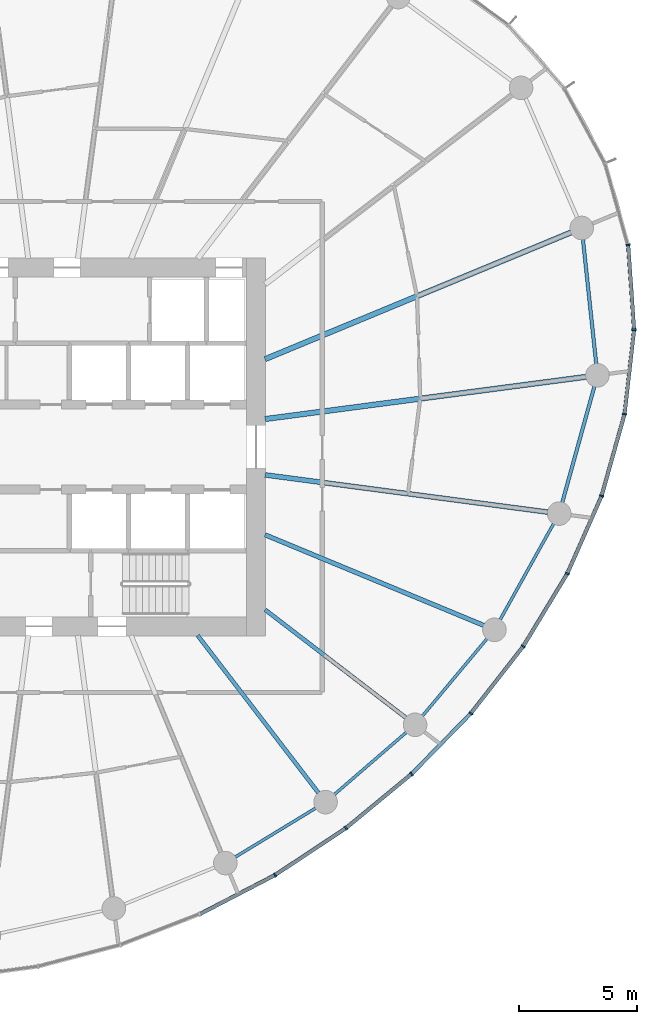
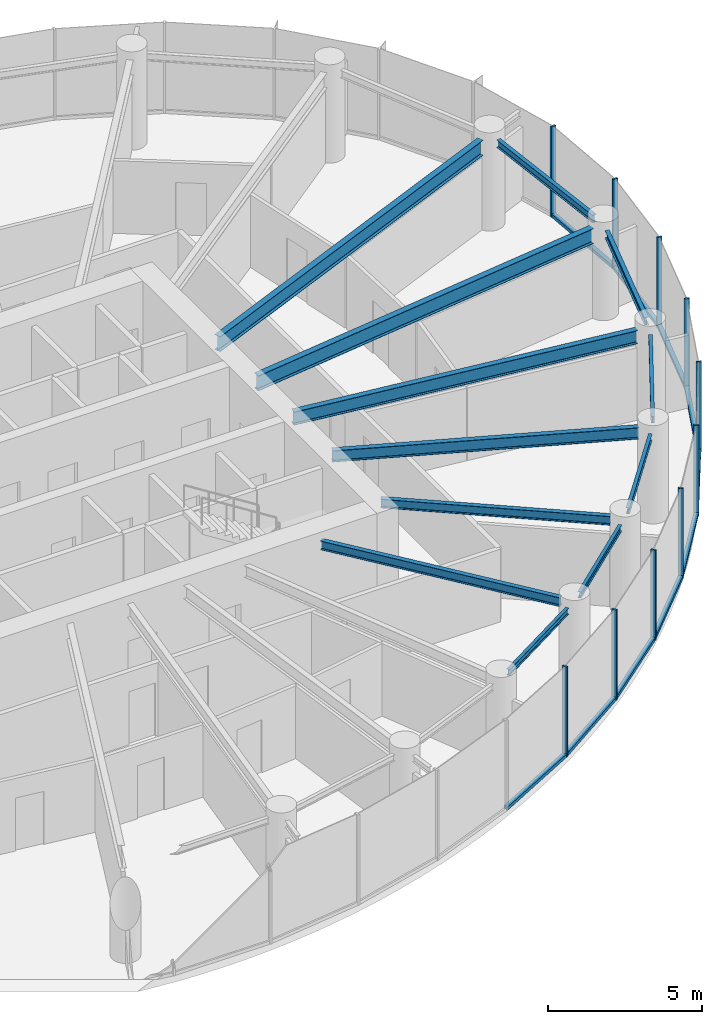
# One storey, part 4 of 15: 20 members, 12 beams, 3 elements without a shape of their own.
"""IFC4 building model written with IfcOpenShell, lengths in metres."""

from ifc_helpers import new_model, si_unit, direction, frame, origin, origin_2d, place, context, subcontext, project, spatial, rectangle, i_section, extrude, source, transform, mapped, material, layer, layer_set, material_profile, profile_set, type_object, element, aggregate, save


model = new_model("IFC4")

# Units and contexts
model_context = context("Model", 3, precision=1e-05, world=origin(), true_north=direction((0.0, 1.0)))
body_context = subcontext(model_context, "Body", "Model", "MODEL_VIEW")
ifc_project = project(units=[si_unit("LENGTHUNIT", "METRE"), si_unit("AREAUNIT", "SQUARE_METRE"), si_unit("VOLUMEUNIT", "CUBIC_METRE"), si_unit("PLANEANGLEUNIT", "RADIAN"), si_unit("MASSUNIT", "GRAM", prefix="KILO")], contexts=[model_context])

# Site, building, storey
site_placement = place(None, origin())
site = spatial("IfcSite", under=ifc_project, at=site_placement, CompositionType="ELEMENT")
building_placement = place(site_placement, origin())
building = spatial("IfcBuilding", under=site, at=building_placement, Name="Spindrift Exchange Tower", CompositionType="ELEMENT")
storey_placement = place(building_placement, frame((0.0, 0.0, 168.199951171875)))
storey = spatial("IfcBuildingStorey", under=building, at=storey_placement, Name="L40", CompositionType="ELEMENT", Elevation=168.199951171875)

# Beams
ifc_material_1 = material(Name="Steel Grade 300", Category="steel")
ifc_material_profile_1 = material_profile(ifc_material_1, i_section(OverallWidth=0.14892578125, OverallDepth=0.298095703125, WebThickness=0.005615234375, FlangeThickness=0.008056640625, FilletRadius=0.012939453125, at=origin_2d()), Name="310UB32.0")
ifc_profile_set_1 = profile_set([ifc_material_profile_1], Name="Steel Grade 300")
beam_type_1 = type_object("IfcBeamType", Name="Edge Beam 310UB32.0 Steel Grade 300", PredefinedType="SPANDREL", material=ifc_profile_set_1)
shared_shape_1 = source(origin(), body_context, "Body", "SweptSolid", [
    extrude(i_section(OverallWidth=0.14892578125, OverallDepth=0.298095703125, WebThickness=0.005615234375, FlangeThickness=0.008056640625, FilletRadius=0.012939453125, at=origin_2d()), origin(), (0.0, 0.0, 1.0), 5.31640625),
])
beam_1_placement = place(storey_placement, frame((75.010986328125, 51.513427734375, 3.43115234375), z_axis=(-0.10598990948, 0.994367205357, 0.0), x_axis=(-0.994367205357, -0.10598990948, 0.0)))
element("IfcBeam", 1, at=beam_1_placement, inside=storey, type_object=beam_type_1, Name="L40 edge beam E01", PredefinedType="SPANDREL", context=body_context, shape_type="MappedRepresentation", body=[
    mapped(shared_shape_1, transform((0.0, 0.0, 0.0), scale=1.0)),
])
ifc_material_profile_2 = material_profile(ifc_material_1, i_section(OverallWidth=0.1240234375, OverallDepth=0.248046875, WebThickness=0.0048828125, FlangeThickness=0.008056640625, FilletRadius=0.011962890625, at=origin_2d()), Name="250UB25.7")
ifc_profile_set_2 = profile_set([ifc_material_profile_2], Name="Steel Grade 300")
beam_type_2 = type_object("IfcBeamType", Name="Edge Beam 250UB25.7 Steel Grade 300", PredefinedType="SPANDREL", material=ifc_profile_set_2)
shared_shape_2 = source(origin(), body_context, "Body", "SweptSolid", [
    extrude(i_section(OverallWidth=0.1240234375, OverallDepth=0.248046875, WebThickness=0.0048828125, FlangeThickness=0.008056640625, FilletRadius=0.011962890625, at=origin_2d()), origin(), (0.0, 0.0, 1.0), 4.00634765625),
])
beam_2_placement = place(storey_placement, frame((59.7109375, 30.623779296875, 3.4560546875), z_axis=(0.854331495603, 0.519728482596, 0.0), x_axis=(-0.519728482596, 0.854331495603, 0.0)))
element("IfcBeam", 2, at=beam_2_placement, inside=storey, type_object=beam_type_2, Name="L40 edge beam E20", PredefinedType="SPANDREL", context=body_context, shape_type="MappedRepresentation", body=[
    mapped(shared_shape_2, transform((0.0, 0.0, 0.0), scale=1.0)),
])
shared_shape_3 = source(origin(), body_context, "Body", "SweptSolid", [
    extrude(i_section(OverallWidth=0.1240234375, OverallDepth=0.248046875, WebThickness=0.0048828125, FlangeThickness=0.008056640625, FilletRadius=0.011962890625, at=origin_2d()), origin(), (0.0, 0.0, 1.0), 4.052001953125),
])
beam_3_placement = place(storey_placement, frame((63.906982421875, 33.269287109375, 3.4560546875), z_axis=(0.756715968535, 0.65374379, 0.0), x_axis=(-0.65374379, 0.756715968535, 0.0)))
element("IfcBeam", 3, at=beam_3_placement, inside=storey, type_object=beam_type_2, Name="L40 edge beam E21", PredefinedType="SPANDREL", context=body_context, shape_type="MappedRepresentation", body=[
    mapped(shared_shape_3, transform((0.0, 0.0, 0.0), scale=1.0)),
])
shared_shape_4 = source(origin(), body_context, "Body", "SweptSolid", [
    extrude(i_section(OverallWidth=0.1240234375, OverallDepth=0.248046875, WebThickness=0.0048828125, FlangeThickness=0.008056640625, FilletRadius=0.011962890625, at=origin_2d()), origin(), (0.0, 0.0, 1.0), 4.282958984375),
])
beam_4_placement = place(storey_placement, frame((67.644287109375, 36.600341796875, 3.4560546875), z_axis=(0.641400288548, 0.767206406289, 0.0), x_axis=(-0.767206406289, 0.641400288548, 0.0)))
element("IfcBeam", 4, at=beam_4_placement, inside=storey, type_object=beam_type_2, Name="L40 edge beam E22", PredefinedType="SPANDREL", context=body_context, shape_type="MappedRepresentation", body=[
    mapped(shared_shape_4, transform((0.0, 0.0, 0.0), scale=1.0)),
])
shared_shape_5 = source(origin(), body_context, "Body", "SweptSolid", [
    extrude(i_section(OverallWidth=0.1240234375, OverallDepth=0.248046875, WebThickness=0.0048828125, FlangeThickness=0.008056640625, FilletRadius=0.011962890625, at=origin_2d()), origin(), (0.0, 0.0, 1.0), 4.6748046875),
])
beam_5_placement = place(storey_placement, frame((70.932861328125, 40.673828125, 3.4560546875), z_axis=(0.486587145143, 0.873632045075, 0.0), x_axis=(-0.873632045075, 0.486587145143, 0.0)))
element("IfcBeam", 5, at=beam_5_placement, inside=storey, type_object=beam_type_2, Name="L40 edge beam E23", PredefinedType="SPANDREL", context=body_context, shape_type="MappedRepresentation", body=[
    mapped(shared_shape_5, transform((0.0, 0.0, 0.0), scale=1.0)),
])
shared_shape_6 = source(origin(), body_context, "Body", "SweptSolid", [
    extrude(i_section(OverallWidth=0.14892578125, OverallDepth=0.298095703125, WebThickness=0.005615234375, FlangeThickness=0.008056640625, FilletRadius=0.012939453125, at=origin_2d()), origin(), (0.0, 0.0, 1.0), 5.118896484375),
])
beam_6_placement = place(storey_placement, frame((73.569091796875, 45.639892578125, 3.43115234375), z_axis=(0.266654866605, 0.963792084485, 0.0), x_axis=(-0.963792084485, 0.266654866605, 0.0)))
element("IfcBeam", 6, at=beam_6_placement, inside=storey, type_object=beam_type_1, Name="L40 edge beam E24", PredefinedType="SPANDREL", context=body_context, shape_type="MappedRepresentation", body=[
    mapped(shared_shape_6, transform((0.0, 0.0, 0.0), scale=1.0)),
])
ifc_material_profile_3 = material_profile(ifc_material_1, i_section(OverallWidth=0.22802734375, OverallDepth=0.60205078125, WebThickness=0.010498046875, FlangeThickness=0.014892578125, FilletRadius=0.013916015625, at=origin_2d()), Name="610UB101")
ifc_profile_set_3 = profile_set([ifc_material_profile_3], Name="Steel Grade 300")
beam_type_3 = type_object("IfcBeamType", Name="Floor Beam 610UB101 Steel Grade 300", PredefinedType="BEAM", material=ifc_profile_set_3)
shared_shape_7 = source(origin(), body_context, "Body", "SweptSolid", [
    extrude(i_section(OverallWidth=0.22802734375, OverallDepth=0.60205078125, WebThickness=0.010498046875, FlangeThickness=0.014892578125, FilletRadius=0.013916015625, at=origin_2d()), origin(), (0.0, 0.0, 1.0), 13.723388671875),
])
beam_7_placement = place(storey_placement, frame((60.980224609375, 49.182373046875, 3.279052734375), z_axis=(0.991447148915, 0.13050881544, 0.0), x_axis=(-0.13050881544, 0.991447148915, 0.0)))
element("IfcBeam", 7, at=beam_7_placement, inside=storey, type_object=beam_type_3, Name="L40 radial beam R01A", PredefinedType="BEAM", context=body_context, shape_type="MappedRepresentation", body=[
    mapped(shared_shape_7, transform((0.0, 0.0, 0.0), scale=1.0)),
])
shared_shape_8 = source(origin(), body_context, "Body", "SweptSolid", [
    extrude(i_section(OverallWidth=0.22802734375, OverallDepth=0.60205078125, WebThickness=0.010498046875, FlangeThickness=0.014892578125, FilletRadius=0.013916015625, at=origin_2d()), origin(), (0.0, 0.0, 1.0), 14.04052734375),
])
beam_8_placement = place(storey_placement, frame((60.9814453125, 51.72021484375, 3.279052734375), z_axis=(0.923879501748, 0.382683506634, 0.0), x_axis=(-0.382683506634, 0.923879501748, 0.0)))
element("IfcBeam", 8, at=beam_8_placement, inside=storey, type_object=beam_type_3, Name="L40 radial beam R02A", PredefinedType="BEAM", context=body_context, shape_type="MappedRepresentation", body=[
    mapped(shared_shape_8, transform((0.0, 0.0, 0.0), scale=1.0)),
])
ifc_material_profile_4 = material_profile(ifc_material_1, i_section(OverallWidth=0.1708984375, OverallDepth=0.35205078125, WebThickness=0.0068359375, FlangeThickness=0.009765625, FilletRadius=0.013916015625, at=origin_2d()), Name="360UB44.7")
ifc_profile_set_4 = profile_set([ifc_material_profile_4], Name="Steel Grade 300")
beam_type_4 = type_object("IfcBeamType", Name="Floor Beam 360UB44.7 Steel Grade 300", PredefinedType="BEAM", material=ifc_profile_set_4)
shared_shape_9 = source(origin(), body_context, "Body", "SweptSolid", [
    extrude(i_section(OverallWidth=0.1708984375, OverallDepth=0.35205078125, WebThickness=0.0068359375, FlangeThickness=0.009765625, FilletRadius=0.013916015625, at=origin_2d()), origin(), (0.0, 0.0, 1.0), 8.419189453125),
])
beam_9_placement = place(storey_placement, frame((58.12646484375, 40.015869140625, 3.404052734375), z_axis=(0.608755970582, -0.79335752866, 0.0), x_axis=(0.79335752866, 0.608755970582, 0.0)))
element("IfcBeam", 9, at=beam_9_placement, inside=storey, type_object=beam_type_4, Name="L40 radial beam R21A", PredefinedType="BEAM", context=body_context, shape_type="MappedRepresentation", body=[
    mapped(shared_shape_9, transform((0.0, 0.0, 0.0), scale=1.0)),
])
shared_shape_10 = source(origin(), body_context, "Body", "SweptSolid", [
    extrude(i_section(OverallWidth=0.1708984375, OverallDepth=0.35205078125, WebThickness=0.0068359375, FlangeThickness=0.009765625, FilletRadius=0.013916015625, at=origin_2d()), origin(), (0.0, 0.0, 1.0), 7.52685546875),
])
beam_10_placement = place(storey_placement, frame((60.984130859375, 41.106201171875, 3.404052734375), z_axis=(0.793354136078, -0.608760391918, 0.0), x_axis=(0.608760391918, 0.793354136078, 0.0)))
element("IfcBeam", 10, at=beam_10_placement, inside=storey, type_object=beam_type_4, Name="L40 radial beam R22A", PredefinedType="BEAM", context=body_context, shape_type="MappedRepresentation", body=[
    mapped(shared_shape_10, transform((0.0, 0.0, 0.0), scale=1.0)),
])
ifc_material_profile_5 = material_profile(ifc_material_1, i_section(OverallWidth=0.18994140625, OverallDepth=0.4541015625, WebThickness=0.008544921875, FlangeThickness=0.0126953125, FilletRadius=0.013916015625, at=origin_2d()), Name="460UB67.1")
ifc_profile_set_5 = profile_set([ifc_material_profile_5], Name="Steel Grade 300")
beam_type_5 = type_object("IfcBeamType", Name="Floor Beam 460UB67.1 Steel Grade 300", PredefinedType="BEAM", material=ifc_profile_set_5)
shared_shape_11 = source(origin(), body_context, "Body", "SweptSolid", [
    extrude(i_section(OverallWidth=0.18994140625, OverallDepth=0.4541015625, WebThickness=0.008544921875, FlangeThickness=0.0126953125, FilletRadius=0.013916015625, at=origin_2d()), origin(), (0.0, 0.0, 1.0), 10.03857421875),
])
beam_11_placement = place(storey_placement, frame((60.9814453125, 44.27978515625, 3.35302734375), z_axis=(0.923880777638, -0.382680426349, 0.0), x_axis=(0.382680426349, 0.923880777638, 0.0)))
element("IfcBeam", 11, at=beam_11_placement, inside=storey, type_object=beam_type_5, Name="L40 radial beam R23A", PredefinedType="BEAM", context=body_context, shape_type="MappedRepresentation", body=[
    mapped(shared_shape_11, transform((0.0, 0.0, 0.0), scale=1.0)),
])
ifc_material_profile_6 = material_profile(ifc_material_1, i_section(OverallWidth=0.208984375, OverallDepth=0.528076171875, WebThickness=0.009521484375, FlangeThickness=0.01318359375, FilletRadius=0.013916015625, at=origin_2d()), Name="530UB82.0")
ifc_profile_set_6 = profile_set([ifc_material_profile_6], Name="Steel Grade 300")
beam_type_6 = type_object("IfcBeamType", Name="Floor Beam 530UB82.0 Steel Grade 300", PredefinedType="BEAM", material=ifc_profile_set_6)
shared_shape_12 = source(origin(), body_context, "Body", "SweptSolid", [
    extrude(i_section(OverallWidth=0.208984375, OverallDepth=0.528076171875, WebThickness=0.009521484375, FlangeThickness=0.01318359375, FilletRadius=0.013916015625, at=origin_2d()), origin(), (0.0, 0.0, 1.0), 12.088134765625),
])
beam_12_placement = place(storey_placement, frame((60.980224609375, 46.817626953125, 3.316162109375), z_axis=(0.991447007302, -0.130509891244, 0.0), x_axis=(0.130509891244, 0.991447007302, 0.0)))
element("IfcBeam", 12, at=beam_12_placement, inside=storey, type_object=beam_type_6, Name="L40 radial beam R24A", PredefinedType="BEAM", context=body_context, shape_type="MappedRepresentation", body=[
    mapped(shared_shape_12, transform((0.0, 0.0, 0.0), scale=1.0)),
])

# Curtain wall, member
ifc_material_2 = material(Name="Fritted laminated glass with bronze frame", Category="glass")
ifc_layer = layer(ifc_material_2, 0.179931640625)
ifc_layer_set = layer_set([ifc_layer], Name="ZONE 3 BRONZE FRITTED WALL")
curtain_wall_type = type_object("IfcCurtainWallType", Name="ZONE 3 BRONZE FRITTED WALL", PredefinedType="NOTDEFINED", material=ifc_layer_set)
curtain_wall_1_placement = place(storey_placement, origin())
curtain_wall_1 = element("IfcCurtainWall", 13, at=curtain_wall_1_placement, inside=storey, type_object=curtain_wall_type, Name="L40 Zone 3 Bronze Fritted Wall run 6", PredefinedType="NOTDEFINED")
ifc_material_3 = material(Name="Bronze anodised aluminium", Category="aluminium")
ifc_material_profile_7 = material_profile(ifc_material_3, rectangle(XDim=0.159912109375, YDim=0.1298828125, at=origin_2d()), Name="ZONE 3 BRONZE FRITTED WALL TRANSOM 160X130")
ifc_profile_set_7 = profile_set([ifc_material_profile_7], Name="Bronze anodised aluminium")
member_type_1 = type_object("IfcMemberType", Name="ZONE 3 BRONZE FRITTED WALL TRANSOM 160X130", PredefinedType="USERDEFINED", material=ifc_profile_set_7)
shared_shape_13 = source(origin(), body_context, "Body", "SweptSolid", [
    extrude(rectangle(XDim=0.159912109375, YDim=0.1298828125, at=origin_2d()), origin(), (0.0, 0.0, 1.0), 3.53076171875),
])
member_1_placement = place(storey_placement, frame((67.20849609375, 34.16845703125, 0.06494140625), z_axis=(0.699215035326, 0.714911417152, 0.0), x_axis=(-0.714911417152, 0.699215035326, 0.0)))
member_1 = element("IfcMember", 14, at=member_1_placement, type_object=member_type_1, Name="L40 transom CW-3.33", ObjectType="TRANSOM", PredefinedType="USERDEFINED", context=body_context, shape_type="MappedRepresentation", body=[
    mapped(shared_shape_13, transform((0.0, 0.0, 0.0), scale=1.0)),
])

curtain_wall_2_placement = place(storey_placement, origin())
curtain_wall_2 = element("IfcCurtainWall", 15, at=curtain_wall_2_placement, inside=storey, type_object=curtain_wall_type, Name="L40 Zone 3 Bronze Fritted Wall run 5", PredefinedType="NOTDEFINED")
shared_shape_14 = source(origin(), body_context, "Body", "SweptSolid", [
    extrude(rectangle(XDim=0.159912109375, YDim=0.1298828125, at=origin_2d()), origin(), (0.0, 0.0, 1.0), 3.531005859375),
])
member_2_placement = place(storey_placement, frame((58.23876953125, 28.221435546875, 0.06494140625), z_axis=(0.887448761724, 0.460906384546, 0.0), x_axis=(-0.460906384546, 0.887448761724, 0.0)))
member_2 = element("IfcMember", 16, at=member_2_placement, type_object=member_type_1, Name="L40 transom CW-3.30", ObjectType="TRANSOM", PredefinedType="USERDEFINED", context=body_context, shape_type="MappedRepresentation", body=[
    mapped(shared_shape_14, transform((0.0, 0.0, 0.0), scale=1.0)),
])
aggregate(curtain_wall_2, [member_2])

# Member
member_3_placement = place(storey_placement, frame((61.432373046875, 29.88427734375, 0.06494140625), z_axis=(0.833917699102, 0.551888821344, 0.0), x_axis=(-0.551888821344, 0.833917699102, 0.0)))
member_3 = element("IfcMember", 17, at=member_3_placement, type_object=member_type_1, Name="L40 transom CW-3.31", ObjectType="TRANSOM", PredefinedType="USERDEFINED", context=body_context, shape_type="MappedRepresentation", body=[
    mapped(shared_shape_14, transform((0.0, 0.0, 0.0), scale=1.0)),
])

member_4_placement = place(storey_placement, frame((64.43310546875, 31.87451171875, 0.06494140625), z_axis=(0.771425036585, 0.636320212574, 0.0), x_axis=(-0.636320212574, 0.771425036585, 0.0)))
member_4 = element("IfcMember", 18, at=member_4_placement, type_object=member_type_1, Name="L40 transom CW-3.32", ObjectType="TRANSOM", PredefinedType="USERDEFINED", context=body_context, shape_type="MappedRepresentation", body=[
    mapped(shared_shape_14, transform((0.0, 0.0, 0.0), scale=1.0)),
])

shared_shape_15 = source(origin(), body_context, "Body", "SweptSolid", [
    extrude(rectangle(XDim=0.159912109375, YDim=0.1298828125, at=origin_2d()), origin(), (0.0, 0.0, 1.0), 3.5302734375),
])
member_5_placement = place(storey_placement, frame((71.9365234375, 39.5849609375, 0.06494140625), z_axis=(0.518324706001, 0.855183897854, 0.0), x_axis=(-0.855183897854, 0.518324706001, 0.0)))
member_5 = element("IfcMember", 19, at=member_5_placement, type_object=member_type_1, Name="L40 transom CW-3.35", ObjectType="TRANSOM", PredefinedType="USERDEFINED", context=body_context, shape_type="MappedRepresentation", body=[
    mapped(shared_shape_15, transform((0.0, 0.0, 0.0), scale=1.0)),
])

shared_shape_16 = source(origin(), body_context, "Body", "SweptSolid", [
    extrude(rectangle(XDim=0.159912109375, YDim=0.1298828125, at=origin_2d()), origin(), (0.0, 0.0, 1.0), 3.530517578125),
])
member_6_placement = place(storey_placement, frame((69.723388671875, 36.7451171875, 0.06494140625), z_axis=(0.615638674374, 0.788028567131, 0.0), x_axis=(-0.788028567131, 0.615638674374, 0.0)))
member_6 = element("IfcMember", 20, at=member_6_placement, type_object=member_type_1, Name="L40 transom CW-3.34", ObjectType="TRANSOM", PredefinedType="USERDEFINED", context=body_context, shape_type="MappedRepresentation", body=[
    mapped(shared_shape_16, transform((0.0, 0.0, 0.0), scale=1.0)),
])

ifc_material_profile_8 = material_profile(ifc_material_3, rectangle(XDim=0.070068359375, YDim=0.179931640625, at=origin_2d()), Name="ZONE 3 BRONZE FRITTED WALL MULLION 70X180")
ifc_profile_set_8 = profile_set([ifc_material_profile_8], Name="Bronze anodised aluminium")
member_type_2 = type_object("IfcMemberType", Name="ZONE 3 BRONZE FRITTED WALL MULLION 70X180", PredefinedType="MULLION", material=ifc_profile_set_8)
shared_shape_17 = source(origin(), body_context, "Body", "SweptSolid", [
    extrude(rectangle(XDim=0.070068359375, YDim=0.179931640625, at=origin_2d()), origin(), (0.0, 0.0, 1.0), 3.580078125),
])
member_7_placement = place(storey_placement, frame((61.4033203125, 29.864990234375, 0.0), z_axis=(0.0, 0.0, 1.0), x_axis=(0.861870945741, 0.507127669219, 0.0)))
member_7 = element("IfcMember", 21, at=member_7_placement, type_object=member_type_2, Name="L40 mullion CW-3.31", PredefinedType="MULLION", context=body_context, shape_type="MappedRepresentation", body=[
    mapped(shared_shape_17, transform((0.0, 0.0, 0.0), scale=1.0)),
])

member_8_placement = place(storey_placement, frame((64.406005859375, 31.852294921875, 0.0), z_axis=(0.0, 0.0, 1.0), x_axis=(0.803789997994, 0.594913135781, 0.0)))
member_8 = element("IfcMember", 22, at=member_8_placement, type_object=member_type_2, Name="L40 mullion CW-3.32", PredefinedType="MULLION", context=body_context, shape_type="MappedRepresentation", body=[
    mapped(shared_shape_17, transform((0.0, 0.0, 0.0), scale=1.0)),
])

member_9_placement = place(storey_placement, frame((67.18408203125, 34.1435546875, 0.0), z_axis=(0.0, 0.0, 1.0), x_axis=(0.73639739777, 0.676549238827, 0.0)))
member_9 = element("IfcMember", 23, at=member_9_placement, type_object=member_type_2, Name="L40 mullion CW-3.33", PredefinedType="MULLION", context=body_context, shape_type="MappedRepresentation", body=[
    mapped(shared_shape_17, transform((0.0, 0.0, 0.0), scale=1.0)),
])

member_10_placement = place(storey_placement, frame((69.701904296875, 36.717529296875, 0.0), z_axis=(0.0, 0.0, 1.0), x_axis=(0.658459725803, 0.752615964152, 0.0)))
member_10 = element("IfcMember", 24, at=member_10_placement, type_object=member_type_2, Name="L40 mullion CW-3.34", PredefinedType="MULLION", context=body_context, shape_type="MappedRepresentation", body=[
    mapped(shared_shape_17, transform((0.0, 0.0, 0.0), scale=1.0)),
])

member_11_placement = place(storey_placement, frame((71.91845703125, 39.554931640625, 0.0), z_axis=(0.0, 0.0, 1.0), x_axis=(0.567959211564, 0.82305670157, 0.0)))
member_11 = element("IfcMember", 25, at=member_11_placement, type_object=member_type_2, Name="L40 mullion CW-3.35", PredefinedType="MULLION", context=body_context, shape_type="MappedRepresentation", body=[
    mapped(shared_shape_17, transform((0.0, 0.0, 0.0), scale=1.0)),
])

member_12_placement = place(storey_placement, frame((73.784423828125, 42.634033203125, 0.0), z_axis=(0.0, 0.0, 1.0), x_axis=(0.462210433666, 0.886770271835, 0.0)))
member_12 = element("IfcMember", 26, at=member_12_placement, type_object=member_type_2, Name="L40 mullion CW-3.36", PredefinedType="MULLION", context=body_context, shape_type="MappedRepresentation", body=[
    mapped(shared_shape_17, transform((0.0, 0.0, 0.0), scale=1.0)),
])

# Curtain wall, members
curtain_wall_3_placement = place(storey_placement, origin())
curtain_wall_3 = element("IfcCurtainWall", 27, at=curtain_wall_3_placement, inside=storey, type_object=curtain_wall_type, Name="L40 Zone 3 Bronze Fritted Wall run 7", PredefinedType="NOTDEFINED")
member_13_placement = place(storey_placement, frame((75.239501953125, 45.926513671875, 0.0), z_axis=(0.0, 0.0, 1.0), x_axis=(0.337905431051, 0.94118006761, 0.0)))
member_13 = element("IfcMember", 28, at=member_13_placement, type_object=member_type_2, Name="L40 mullion CW-3.37", PredefinedType="MULLION", context=body_context, shape_type="MappedRepresentation", body=[
    mapped(shared_shape_17, transform((0.0, 0.0, 0.0), scale=1.0)),
])
member_14_placement = place(storey_placement, frame((76.2109375, 49.39208984375, 0.0), z_axis=(0.0, 0.0, 1.0), x_axis=(0.19159732856, 0.981473618437, 0.0)))
member_14 = element("IfcMember", 29, at=member_14_placement, type_object=member_type_2, Name="L40 mullion CW-3.38", PredefinedType="MULLION", context=body_context, shape_type="MappedRepresentation", body=[
    mapped(shared_shape_17, transform((0.0, 0.0, 0.0), scale=1.0)),
])
member_15_placement = place(storey_placement, frame((76.6142578125, 52.9677734375, 0.0), z_axis=(0.0, 0.0, 1.0), x_axis=(0.021155714141, 0.999776192835, 0.0)))
member_15 = element("IfcMember", 30, at=member_15_placement, type_object=member_type_2, Name="L40 mullion CW-3.39", PredefinedType="MULLION", context=body_context, shape_type="MappedRepresentation", body=[
    mapped(shared_shape_17, transform((0.0, 0.0, 0.0), scale=1.0)),
])
member_16_placement = place(storey_placement, frame((76.362548828125, 56.555908203125, 0.0), z_axis=(0.0, 0.0, 1.0), x_axis=(-0.17136601913, 0.985207433735, 0.0)))
member_16 = element("IfcMember", 31, at=member_16_placement, type_object=member_type_2, Name="L40 mullion CW-3.40", PredefinedType="MULLION", context=body_context, shape_type="MappedRepresentation", body=[
    mapped(shared_shape_17, transform((0.0, 0.0, 0.0), scale=1.0)),
])
shared_shape_18 = source(origin(), body_context, "Body", "SweptSolid", [
    extrude(rectangle(XDim=0.159912109375, YDim=0.1298828125, at=origin_2d()), origin(), (0.0, 0.0, 1.0), 3.528076171875),
])
member_17_placement = place(storey_placement, frame((76.21484375, 49.427001953125, 0.06494140625), z_axis=(0.112102271073, 0.993696674454, 0.0), x_axis=(-0.993696674454, 0.112102271073, 0.0)))
member_17 = element("IfcMember", 32, at=member_17_placement, type_object=member_type_1, Name="L40 transom CW-3.38", ObjectType="TRANSOM", PredefinedType="USERDEFINED", context=body_context, shape_type="MappedRepresentation", body=[
    mapped(shared_shape_18, transform((0.0, 0.0, 0.0), scale=1.0)),
])

# Member
shared_shape_19 = source(origin(), body_context, "Body", "SweptSolid", [
    extrude(rectangle(XDim=0.159912109375, YDim=0.1298828125, at=origin_2d()), origin(), (0.0, 0.0, 1.0), 3.52978515625),
])
member_18_placement = place(storey_placement, frame((73.798583984375, 42.666015625, 0.06494140625), z_axis=(0.404212295993, 0.91466519545, 0.0), x_axis=(-0.91466519545, 0.404212295993, 0.0)))
member_18 = element("IfcMember", 33, at=member_18_placement, type_object=member_type_1, Name="L40 transom CW-3.36", ObjectType="TRANSOM", PredefinedType="USERDEFINED", context=body_context, shape_type="MappedRepresentation", body=[
    mapped(shared_shape_19, transform((0.0, 0.0, 0.0), scale=1.0)),
])

aggregate(curtain_wall_1, [member_7, member_3, member_8, member_4, member_9, member_1, member_10, member_6, member_11, member_5, member_12, member_18])

shared_shape_20 = source(origin(), body_context, "Body", "SweptSolid", [
    extrude(rectangle(XDim=0.159912109375, YDim=0.1298828125, at=origin_2d()), origin(), (0.0, 0.0, 1.0), 3.529052734375),
])
member_19_placement = place(storey_placement, frame((75.2490234375, 45.960205078125, 0.06494140625), z_axis=(0.269865987059, 0.962897891278, 0.0), x_axis=(-0.962897891278, 0.269865987059, 0.0)))
member_19 = element("IfcMember", 34, at=member_19_placement, type_object=member_type_1, Name="L40 transom CW-3.37", ObjectType="TRANSOM", PredefinedType="USERDEFINED", context=body_context, shape_type="MappedRepresentation", body=[
    mapped(shared_shape_20, transform((0.0, 0.0, 0.0), scale=1.0)),
])

shared_shape_21 = source(origin(), body_context, "Body", "SweptSolid", [
    extrude(rectangle(XDim=0.159912109375, YDim=0.1298828125, at=origin_2d()), origin(), (0.0, 0.0, 1.0), 3.52685546875),
])
member_20_placement = place(storey_placement, frame((76.61181640625, 53.002685546875, 0.06494140625), z_axis=(-0.069982737686, 0.997548202558, 0.0), x_axis=(-0.997548202558, -0.069982737686, 0.0)))
member_20 = element("IfcMember", 35, at=member_20_placement, type_object=member_type_1, Name="L40 transom CW-3.39", ObjectType="TRANSOM", PredefinedType="USERDEFINED", context=body_context, shape_type="MappedRepresentation", body=[
    mapped(shared_shape_21, transform((0.0, 0.0, 0.0), scale=1.0)),
])

aggregate(curtain_wall_3, [member_13, member_19, member_14, member_17, member_15, member_20, member_16])

save(model, "model.ifc")
